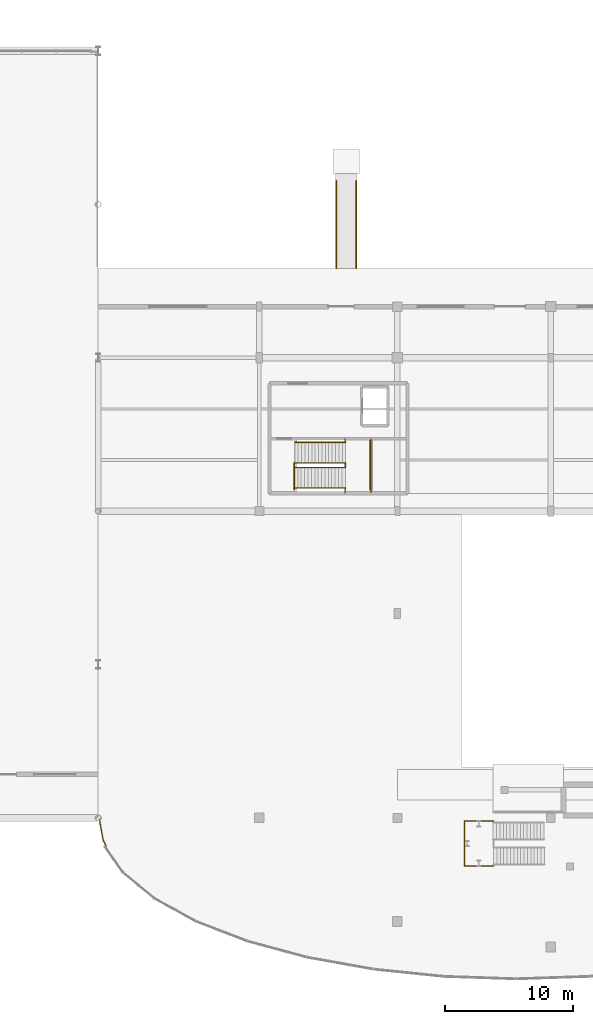
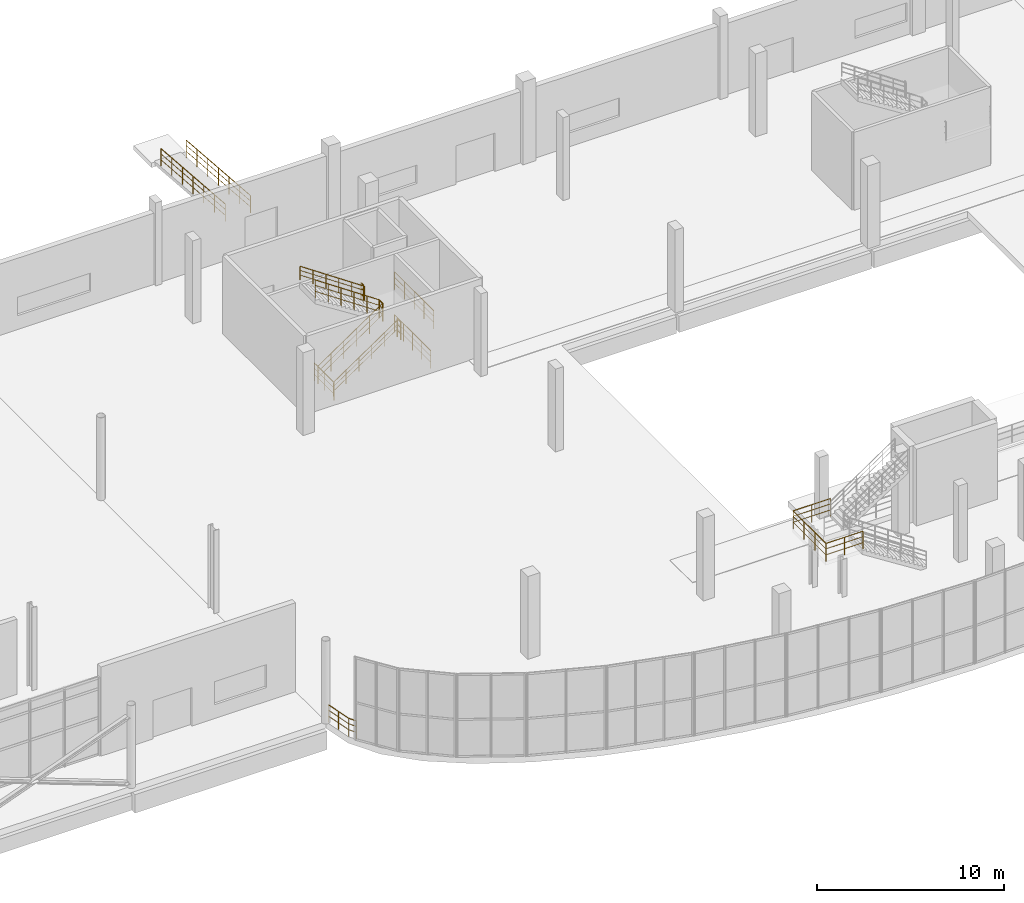
# One storey, part 73 of 85: 17 railings.
"""IFC4 building model written with IfcOpenShell, lengths in metres."""

from ifc_helpers import new_model, si_unit, direction, frame, origin, origin_2d, place, context, subcontext, project, spatial, circle, extrude, material, layer, layer_set, type_object, element, save


model = new_model("IFC4")

# Units and contexts
model_context = context("Model", 3, precision=1e-05, world=origin(), true_north=direction((0.0, 1.0)))
body_context = subcontext(model_context, "Body", "Model", "MODEL_VIEW")
ifc_project = project(units=[si_unit("LENGTHUNIT", "METRE"), si_unit("AREAUNIT", "SQUARE_METRE"), si_unit("VOLUMEUNIT", "CUBIC_METRE"), si_unit("PLANEANGLEUNIT", "RADIAN"), si_unit("MASSUNIT", "GRAM", prefix="KILO"), si_unit("THERMODYNAMICTEMPERATUREUNIT", "KELVIN"), si_unit("POWERUNIT", "WATT")], contexts=[model_context])

# Site, building, storey
site_placement = place(None, origin())
site = spatial("IfcSite", under=ifc_project, at=site_placement, CompositionType="ELEMENT")
building_placement = place(site_placement, origin())
building = spatial("IfcBuilding", under=site, at=building_placement, Name="Solmara Park Aquatics Centre", CompositionType="ELEMENT")
storey_placement = place(building_placement, origin())
storey = spatial("IfcBuildingStorey", under=building, at=storey_placement, Name="L00", CompositionType="ELEMENT", Elevation=0.0)

# Railings
ifc_material_1 = material(Name="Brushed Marine-Grade Stainless Steel 316L Handrail", Category="steel")
ifc_layer_1 = layer(ifc_material_1, 0.044921875, Name="Brushed Marine-Grade Stainless Steel 316L Handrail")
ifc_layer_set_1 = layer_set([ifc_layer_1], Name="Brushed Marine-Grade Stainless Steel 316L Handrail")
railing_type_1 = type_object("IfcRailingType", Name="ARC-RL-HND090", PredefinedType="HANDRAIL", material=ifc_layer_set_1)
railing_1_placement = place(storey_placement, frame((111.949951171875, 38.409912109375, 0.168701171875)))
element("IfcRailing", 1, at=railing_1_placement, inside=storey, type_object=railing_type_1, Name="ST-03 Protected Exit Stair (L00 to L01) Flight 1 Outer Handrail", PredefinedType="HANDRAIL", context=body_context, shape_type="SweptSolid", body=[
    extrude(circle(Radius=0.02392578125, at=origin_2d()), frame((0.0, 0.0, 0.89599609375), z_axis=(0.827204215732, 0.0, 0.561901401916), x_axis=(0.0, 1.0, 0.0)), (0.0, 0.0, 1.0), 4.805419921875),
    extrude(circle(Radius=0.01416015625, at=origin_2d()), frame((0.0, 0.0, 0.322021484375), z_axis=(0.827204215732, 0.0, 0.561901401916), x_axis=(0.0, 1.0, 0.0)), (0.0, 0.0, 1.0), 4.805419921875),
    extrude(circle(Radius=0.01416015625, at=origin_2d()), frame((0.0, 0.0, 0.62548828125), z_axis=(0.827204215732, 0.0, 0.561901401916), x_axis=(0.0, 1.0, 0.0)), (0.0, 0.0, 1.0), 4.805419921875),
    extrude(circle(Radius=0.02099609375, at=origin_2d()), origin(), (0.0, 0.0, 1.0), 0.871826171875),
    extrude(circle(Radius=0.02099609375, at=origin_2d()), frame((0.794921875, 0.0, 0.5400390625)), (0.0, 0.0, 1.0), 0.871826171875),
    extrude(circle(Radius=0.02099609375, at=origin_2d()), frame((1.590087890625, 0.0, 1.080078125)), (0.0, 0.0, 1.0), 0.871826171875),
    extrude(circle(Radius=0.02099609375, at=origin_2d()), frame((2.385009765625, 0.0, 1.6201171875)), (0.0, 0.0, 1.0), 0.871826171875),
    extrude(circle(Radius=0.02099609375, at=origin_2d()), frame((3.18017578125, 0.0, 2.16015625)), (0.0, 0.0, 1.0), 0.871826171875),
    extrude(circle(Radius=0.02099609375, at=origin_2d()), frame((3.97509765625, 0.0, 2.7001953125)), (0.0, 0.0, 1.0), 0.871826171875),
])
railing_2_placement = place(storey_placement, frame((115.955078125, 41.989990234375, 2.868896484375)))
element("IfcRailing", 2, at=railing_2_placement, inside=storey, type_object=railing_type_1, Name="ST-03 Protected Exit Stair (L00 to L01) Flight 2 Outer Handrail", PredefinedType="HANDRAIL", context=body_context, shape_type="SweptSolid", body=[
    extrude(circle(Radius=0.02392578125, at=origin_2d()), frame((0.0, 0.0, 0.89599609375), z_axis=(-0.827227830126, 0.0, 0.561866636369), x_axis=(0.0, -1.0, 0.0)), (0.0, 0.0, 1.0), 4.805419921875),
    extrude(circle(Radius=0.01416015625, at=origin_2d()), frame((0.0, 0.0, 0.322021484375), z_axis=(-0.827227830126, 0.0, 0.561866636369), x_axis=(0.0, -1.0, 0.0)), (0.0, 0.0, 1.0), 4.805419921875),
    extrude(circle(Radius=0.01416015625, at=origin_2d()), frame((0.0, 0.0, 0.62548828125), z_axis=(-0.827227830126, 0.0, 0.561866636369), x_axis=(0.0, -1.0, 0.0)), (0.0, 0.0, 1.0), 4.805419921875),
    extrude(circle(Radius=0.02099609375, at=origin_2d()), origin(), (0.0, 0.0, 1.0), 0.871826171875),
    extrude(circle(Radius=0.02099609375, at=origin_2d()), frame((-0.794921875, 0.0, 0.5400390625)), (0.0, 0.0, 1.0), 0.871826171875),
    extrude(circle(Radius=0.02099609375, at=origin_2d()), frame((-1.590087890625, 0.0, 1.080078125)), (0.0, 0.0, 1.0), 0.871826171875),
    extrude(circle(Radius=0.02099609375, at=origin_2d()), frame((-2.385009765625, 0.0, 1.619873046875)), (0.0, 0.0, 1.0), 0.871826171875),
    extrude(circle(Radius=0.02099609375, at=origin_2d()), frame((-3.18017578125, 0.0, 2.159912109375)), (0.0, 0.0, 1.0), 0.871826171875),
    extrude(circle(Radius=0.02099609375, at=origin_2d()), frame((-3.97509765625, 0.0, 2.699951171875)), (0.0, 0.0, 1.0), 0.871826171875),
])
ifc_material_2 = material(Name="Brushed Marine-Grade Stainless Steel 316L Ramp Handrail", Category="steel")
ifc_layer_2 = layer(ifc_material_2, 0.044921875, Name="Brushed Marine-Grade Stainless Steel 316L Ramp Handrail")
ifc_layer_set_2 = layer_set([ifc_layer_2], Name="Brushed Marine-Grade Stainless Steel 316L Ramp Handrail")
railing_type_2 = type_object("IfcRailingType", Name="ARC-RL-RMP090", PredefinedType="GUARDRAIL", material=ifc_layer_set_2)
for number, where, name in (
    (3, (115.219970703125, 62.449951171875, -0.548095703125), "Garden Court Diving Threshold Accessible Ramp Handrail 1"),
    (4, (116.780029296875, 62.449951171875, -0.548095703125), "Garden Court Diving Threshold Accessible Ramp Handrail 2"),
):
    element("IfcRailing", number, at=place(storey_placement, frame(where)), inside=storey, type_object=railing_type_2, Name=name, PredefinedType="GUARDRAIL", context=body_context, shape_type="SweptSolid", body=[
        extrude(circle(Radius=0.02392578125, at=origin_2d()), frame((0.0, 0.0, 1.1357421875), z_axis=(0.0, -0.996814035776, 0.07976075526), x_axis=(1.0, 0.0, 0.0)), (0.0, 0.0, 1.0), 6.871826171875),
        extrude(circle(Radius=0.01416015625, at=origin_2d()), frame((0.0, 0.0, 0.406005859375), z_axis=(0.0, -0.996814035776, 0.07976075526), x_axis=(1.0, 0.0, 0.0)), (0.0, 0.0, 1.0), 6.871826171875),
        extrude(circle(Radius=0.01416015625, at=origin_2d()), frame((0.0, 0.0, 0.788818359375), z_axis=(0.0, -0.996814035776, 0.07976075526), x_axis=(1.0, 0.0, 0.0)), (0.0, 0.0, 1.0), 6.871826171875),
        extrude(circle(Radius=0.02099609375, at=origin_2d()), origin(), (0.0, 0.0, 1.0), 1.11181640625),
        extrude(circle(Radius=0.02099609375, at=origin_2d()), frame((0.0, -1.1416015625, 0.09130859375)), (0.0, 0.0, 1.0), 1.11181640625),
        extrude(circle(Radius=0.02099609375, at=origin_2d()), frame((0.0, -2.283203125, 0.1826171875)), (0.0, 0.0, 1.0), 1.11181640625),
        extrude(circle(Radius=0.02099609375, at=origin_2d()), frame((0.0, -3.4248046875, 0.27392578125)), (0.0, 0.0, 1.0), 1.11181640625),
        extrude(circle(Radius=0.02099609375, at=origin_2d()), frame((0.0, -4.566650390625, 0.365478515625)), (0.0, 0.0, 1.0), 1.11181640625),
        extrude(circle(Radius=0.02099609375, at=origin_2d()), frame((0.0, -5.708251953125, 0.456787109375)), (0.0, 0.0, 1.0), 1.11181640625),
        extrude(circle(Radius=0.02099609375, at=origin_2d()), frame((0.0, -6.849853515625, 0.548095703125)), (0.0, 0.0, 1.0), 1.11181640625),
    ])
ifc_material_3 = material(Name="Toughened Glass and Stainless Steel Stand Guardrail", Category="steel")
ifc_layer_3 = layer(ifc_material_3, 0.06005859375, Name="Toughened Glass and Stainless Steel Stand Guardrail")
ifc_layer_set_3 = layer_set([ifc_layer_3], Name="Toughened Glass and Stainless Steel Stand Guardrail")
railing_type_3 = type_object("IfcRailingType", Name="ARC-RL-STD110", PredefinedType="GUARDRAIL", material=ifc_layer_set_3)
railing_3_placement = place(storey_placement, frame((97.21826171875, 10.42333984375, 0.0)))
element("IfcRailing", 5, at=railing_3_placement, inside=storey, type_object=railing_type_3, Name="L00 Slab Edge Guardrail 007", PredefinedType="GUARDRAIL", context=body_context, shape_type="SweptSolid", body=[
    extrude(circle(Radius=0.02392578125, at=origin_2d()), frame((0.0, 0.0, 1.15576171875), z_axis=(-0.491658683064, 0.870787999095, 0.0), x_axis=(-0.870787999095, -0.491658683064, 0.0)), (0.0, 0.0, 1.0), 0.46435546875),
    extrude(circle(Radius=0.01416015625, at=origin_2d()), frame((0.0, 0.0, 0.4130859375), z_axis=(-0.491658683064, 0.870787999095, 0.0), x_axis=(-0.870787999095, -0.491658683064, 0.0)), (0.0, 0.0, 1.0), 0.46435546875),
    extrude(circle(Radius=0.01416015625, at=origin_2d()), frame((0.0, 0.0, 0.80224609375), z_axis=(-0.491658683064, 0.870787999095, 0.0), x_axis=(-0.870787999095, -0.491658683064, 0.0)), (0.0, 0.0, 1.0), 0.46435546875),
    extrude(circle(Radius=0.02099609375, at=origin_2d()), origin(), (0.0, 0.0, 1.0), 1.1318359375),
    extrude(circle(Radius=0.02099609375, at=origin_2d()), frame((-0.228271484375, 0.404296875, 0.0)), (0.0, 0.0, 1.0), 1.1318359375),
])
railing_4_placement = place(storey_placement, frame((96.989990234375, 10.82763671875, 0.0)))
element("IfcRailing", 6, at=railing_4_placement, inside=storey, type_object=railing_type_3, Name="L00 Slab Edge Guardrail 008", PredefinedType="GUARDRAIL", context=body_context, shape_type="SweptSolid", body=[
    extrude(circle(Radius=0.02392578125, at=origin_2d()), frame((0.0, 0.0, 1.15576171875), z_axis=(-0.182576211103, 0.983191704165, 0.0), x_axis=(-0.983191704165, -0.182576211103, 0.0)), (0.0, 0.0, 1.0), 1.6875),
    extrude(circle(Radius=0.01416015625, at=origin_2d()), frame((0.0, 0.0, 0.4130859375), z_axis=(-0.182576211103, 0.983191704165, 0.0), x_axis=(-0.983191704165, -0.182576211103, 0.0)), (0.0, 0.0, 1.0), 1.6875),
    extrude(circle(Radius=0.01416015625, at=origin_2d()), frame((0.0, 0.0, 0.80224609375), z_axis=(-0.182576211103, 0.983191704165, 0.0), x_axis=(-0.983191704165, -0.182576211103, 0.0)), (0.0, 0.0, 1.0), 1.6875),
    extrude(circle(Radius=0.02099609375, at=origin_2d()), origin(), (0.0, 0.0, 1.0), 1.1318359375),
    extrude(circle(Radius=0.02099609375, at=origin_2d()), frame((-0.154052734375, 0.82958984375, 0.0)), (0.0, 0.0, 1.0), 1.1318359375),
    extrude(circle(Radius=0.02099609375, at=origin_2d()), frame((-0.30810546875, 1.6591796875, 0.0)), (0.0, 0.0, 1.0), 1.1318359375),
])
ifc_material_4 = material(Name="Brushed Stainless Steel Guardrail", Category="steel")
ifc_layer_4 = layer(ifc_material_4, 0.050048828125, Name="Brushed Stainless Steel Guardrail")
ifc_layer_set_4 = layer_set([ifc_layer_4], Name="Brushed Stainless Steel Guardrail")
railing_type_4 = type_object("IfcRailingType", Name="ARC-RL-STR110", PredefinedType="GUARDRAIL", material=ifc_layer_set_4)
railing_5_placement = place(storey_placement, frame((111.929931640625, 38.27001953125, 0.0)))
element("IfcRailing", 7, at=railing_5_placement, inside=storey, type_object=railing_type_4, Name="ST-03 Protected Exit Stair (B1 to L00) Arrival Well Guardrail", PredefinedType="GUARDRAIL", context=body_context, shape_type="SweptSolid", body=[
    extrude(circle(Radius=0.02392578125, at=origin_2d()), frame((0.0, 0.0, 1.15576171875), z_axis=(0.0, 1.0, 0.0), x_axis=(-1.0, 0.0, 0.0)), (0.0, 0.0, 1.0), 2.119873046875),
    extrude(circle(Radius=0.01416015625, at=origin_2d()), frame((0.0, 0.0, 0.4130859375), z_axis=(0.0, 1.0, 0.0), x_axis=(-1.0, 0.0, 0.0)), (0.0, 0.0, 1.0), 2.119873046875),
    extrude(circle(Radius=0.01416015625, at=origin_2d()), frame((0.0, 0.0, 0.80224609375), z_axis=(0.0, 1.0, 0.0), x_axis=(-1.0, 0.0, 0.0)), (0.0, 0.0, 1.0), 2.119873046875),
    extrude(circle(Radius=0.02099609375, at=origin_2d()), origin(), (0.0, 0.0, 1.0), 1.1318359375),
    extrude(circle(Radius=0.02099609375, at=origin_2d()), frame((0.0, 1.06005859375, 0.0)), (0.0, 0.0, 1.0), 1.1318359375),
    extrude(circle(Radius=0.02099609375, at=origin_2d()), frame((0.0, 2.119873046875, 0.0)), (0.0, 0.0, 1.0), 1.1318359375),
])
railing_6_placement = place(storey_placement, frame((117.8798828125, 38.27001953125, 0.0)))
element("IfcRailing", 8, at=railing_6_placement, inside=storey, type_object=railing_type_4, Name="ST-03 Protected Exit Stair (B1 to L00) Far Well Edge Guardrail", PredefinedType="GUARDRAIL", context=body_context, shape_type="SweptSolid", body=[
    extrude(circle(Radius=0.02392578125, at=origin_2d()), frame((0.0, 0.0, 1.15576171875), z_axis=(0.0, 1.0, 0.0), x_axis=(-1.0, 0.0, 0.0)), (0.0, 0.0, 1.0), 3.85986328125),
    extrude(circle(Radius=0.01416015625, at=origin_2d()), frame((0.0, 0.0, 0.4130859375), z_axis=(0.0, 1.0, 0.0), x_axis=(-1.0, 0.0, 0.0)), (0.0, 0.0, 1.0), 3.85986328125),
    extrude(circle(Radius=0.01416015625, at=origin_2d()), frame((0.0, 0.0, 0.80224609375), z_axis=(0.0, 1.0, 0.0), x_axis=(-1.0, 0.0, 0.0)), (0.0, 0.0, 1.0), 3.85986328125),
    extrude(circle(Radius=0.02099609375, at=origin_2d()), origin(), (0.0, 0.0, 1.0), 1.1318359375),
    extrude(circle(Radius=0.02099609375, at=origin_2d()), frame((0.0, 0.96484375, 0.0)), (0.0, 0.0, 1.0), 1.1318359375),
    extrude(circle(Radius=0.02099609375, at=origin_2d()), frame((0.0, 1.929931640625, 0.0)), (0.0, 0.0, 1.0), 1.1318359375),
    extrude(circle(Radius=0.02099609375, at=origin_2d()), frame((0.0, 2.89501953125, 0.0)), (0.0, 0.0, 1.0), 1.1318359375),
    extrude(circle(Radius=0.02099609375, at=origin_2d()), frame((0.0, 3.85986328125, 0.0)), (0.0, 0.0, 1.0), 1.1318359375),
])
railing_7_placement = place(storey_placement, frame((111.949951171875, 40.030029296875, 0.0)))
element("IfcRailing", 9, at=railing_7_placement, inside=storey, type_object=railing_type_4, Name="ST-03 Protected Exit Stair (L00 to L01) Flight 1 Inner Guardrail", PredefinedType="GUARDRAIL", context=body_context, shape_type="SweptSolid", body=[
    extrude(circle(Radius=0.02392578125, at=origin_2d()), frame((0.0, 0.0, 1.15576171875), z_axis=(0.827227830126, 0.0, 0.561866636369), x_axis=(0.0, 1.0, 0.0)), (0.0, 0.0, 1.0), 4.805419921875),
    extrude(circle(Radius=0.01416015625, at=origin_2d()), frame((0.0, 0.0, 0.4130859375), z_axis=(0.827227830126, 0.0, 0.561866636369), x_axis=(0.0, 1.0, 0.0)), (0.0, 0.0, 1.0), 4.805419921875),
    extrude(circle(Radius=0.01416015625, at=origin_2d()), frame((0.0, 0.0, 0.80224609375), z_axis=(0.827227830126, 0.0, 0.561866636369), x_axis=(0.0, 1.0, 0.0)), (0.0, 0.0, 1.0), 4.805419921875),
    extrude(circle(Radius=0.02099609375, at=origin_2d()), origin(), (0.0, 0.0, 1.0), 1.1318359375),
    extrude(circle(Radius=0.02099609375, at=origin_2d()), frame((0.794921875, 0.0, 0.5400390625)), (0.0, 0.0, 1.0), 1.1318359375),
    extrude(circle(Radius=0.02099609375, at=origin_2d()), frame((1.590087890625, 0.0, 1.080078125)), (0.0, 0.0, 1.0), 1.1318359375),
    extrude(circle(Radius=0.02099609375, at=origin_2d()), frame((2.385009765625, 0.0, 1.619873046875)), (0.0, 0.0, 1.0), 1.1318359375),
    extrude(circle(Radius=0.02099609375, at=origin_2d()), frame((3.18017578125, 0.0, 2.159912109375)), (0.0, 0.0, 1.0), 1.1318359375),
    extrude(circle(Radius=0.02099609375, at=origin_2d()), frame((3.97509765625, 0.0, 2.699951171875)), (0.0, 0.0, 1.0), 1.1318359375),
])
railing_8_placement = place(storey_placement, frame((115.955078125, 40.3701171875, 2.699951171875)))
element("IfcRailing", 10, at=railing_8_placement, inside=storey, type_object=railing_type_4, Name="ST-03 Protected Exit Stair (L00 to L01) Flight 2 Inner Guardrail", PredefinedType="GUARDRAIL", context=body_context, shape_type="SweptSolid", body=[
    extrude(circle(Radius=0.02392578125, at=origin_2d()), frame((0.0, 0.0, 1.15576171875), z_axis=(-0.827227830126, 0.0, 0.561866636369), x_axis=(0.0, -1.0, 0.0)), (0.0, 0.0, 1.0), 4.805419921875),
    extrude(circle(Radius=0.01416015625, at=origin_2d()), frame((0.0, 0.0, 0.4130859375), z_axis=(-0.827227830126, 0.0, 0.561866636369), x_axis=(0.0, -1.0, 0.0)), (0.0, 0.0, 1.0), 4.805419921875),
    extrude(circle(Radius=0.01416015625, at=origin_2d()), frame((0.0, 0.0, 0.80224609375), z_axis=(-0.827227830126, 0.0, 0.561866636369), x_axis=(0.0, -1.0, 0.0)), (0.0, 0.0, 1.0), 4.805419921875),
    extrude(circle(Radius=0.02099609375, at=origin_2d()), origin(), (0.0, 0.0, 1.0), 1.1318359375),
    extrude(circle(Radius=0.02099609375, at=origin_2d()), frame((-0.794921875, 0.0, 0.5400390625)), (0.0, 0.0, 1.0), 1.1318359375),
    extrude(circle(Radius=0.02099609375, at=origin_2d()), frame((-1.590087890625, 0.0, 1.080078125)), (0.0, 0.0, 1.0), 1.1318359375),
    extrude(circle(Radius=0.02099609375, at=origin_2d()), frame((-2.385009765625, 0.0, 1.619873046875)), (0.0, 0.0, 1.0), 1.1318359375),
    extrude(circle(Radius=0.02099609375, at=origin_2d()), frame((-3.18017578125, 0.0, 2.159912109375)), (0.0, 0.0, 1.0), 1.1318359375),
    extrude(circle(Radius=0.02099609375, at=origin_2d()), frame((-3.97509765625, 0.0, 2.699951171875)), (0.0, 0.0, 1.0), 1.1318359375),
])
railing_9_placement = place(storey_placement, frame((115.925048828125, 40.010009765625, 2.699951171875)))
element("IfcRailing", 11, at=railing_9_placement, inside=storey, type_object=railing_type_4, Name="ST-03 Protected Exit Stair (L00 to L01) Half-Landing Well Guardrail", PredefinedType="GUARDRAIL", context=body_context, shape_type="SweptSolid", body=[
    extrude(circle(Radius=0.02392578125, at=origin_2d()), frame((0.0, 0.0, 1.15576171875), z_axis=(0.0, 1.0, 0.0), x_axis=(-1.0, 0.0, 0.0)), (0.0, 0.0, 1.0), 0.3798828125),
    extrude(circle(Radius=0.01416015625, at=origin_2d()), frame((0.0, 0.0, 0.4130859375), z_axis=(0.0, 1.0, 0.0), x_axis=(-1.0, 0.0, 0.0)), (0.0, 0.0, 1.0), 0.3798828125),
    extrude(circle(Radius=0.01416015625, at=origin_2d()), frame((0.0, 0.0, 0.80224609375), z_axis=(0.0, 1.0, 0.0), x_axis=(-1.0, 0.0, 0.0)), (0.0, 0.0, 1.0), 0.3798828125),
    extrude(circle(Radius=0.02099609375, at=origin_2d()), origin(), (0.0, 0.0, 1.0), 1.1318359375),
    extrude(circle(Radius=0.02099609375, at=origin_2d()), frame((0.0, 0.3798828125, 0.0)), (0.0, 0.0, 1.0), 1.1318359375),
])
railing_10_placement = place(storey_placement, frame((115.89501953125, 38.0400390625, 2.699951171875)))
element("IfcRailing", 12, at=railing_10_placement, inside=storey, type_object=railing_type_4, Name="ST-03 Protected Exit Stair (L00 to L01) Half-Landing South Slot Guardrail", PredefinedType="GUARDRAIL", context=body_context, shape_type="SweptSolid", body=[
    extrude(circle(Radius=0.02392578125, at=origin_2d()), frame((0.0, 0.0, 1.15576171875), z_axis=(0.0, 1.0, 0.0), x_axis=(-1.0, 0.0, 0.0)), (0.0, 0.0, 1.0), 0.35986328125),
    extrude(circle(Radius=0.01416015625, at=origin_2d()), frame((0.0, 0.0, 0.4130859375), z_axis=(0.0, 1.0, 0.0), x_axis=(-1.0, 0.0, 0.0)), (0.0, 0.0, 1.0), 0.35986328125),
    extrude(circle(Radius=0.01416015625, at=origin_2d()), frame((0.0, 0.0, 0.80224609375), z_axis=(0.0, 1.0, 0.0), x_axis=(-1.0, 0.0, 0.0)), (0.0, 0.0, 1.0), 0.35986328125),
    extrude(circle(Radius=0.02099609375, at=origin_2d()), origin(), (0.0, 0.0, 1.0), 1.1318359375),
    extrude(circle(Radius=0.02099609375, at=origin_2d()), frame((0.0, 0.35986328125, 0.0)), (0.0, 0.0, 1.0), 1.1318359375),
])
railing_11_placement = place(storey_placement, frame((115.89501953125, 42.0, 2.699951171875)))
element("IfcRailing", 13, at=railing_11_placement, inside=storey, type_object=railing_type_4, Name="ST-03 Protected Exit Stair (L00 to L01) Half-Landing North Slot Guardrail", PredefinedType="GUARDRAIL", context=body_context, shape_type="SweptSolid", body=[
    extrude(circle(Radius=0.02392578125, at=origin_2d()), frame((0.0, 0.0, 1.15576171875), z_axis=(0.0, 1.0, 0.0), x_axis=(-1.0, 0.0, 0.0)), (0.0, 0.0, 1.0), 0.260009765625),
    extrude(circle(Radius=0.01416015625, at=origin_2d()), frame((0.0, 0.0, 0.4130859375), z_axis=(0.0, 1.0, 0.0), x_axis=(-1.0, 0.0, 0.0)), (0.0, 0.0, 1.0), 0.260009765625),
    extrude(circle(Radius=0.01416015625, at=origin_2d()), frame((0.0, 0.0, 0.80224609375), z_axis=(0.0, 1.0, 0.0), x_axis=(-1.0, 0.0, 0.0)), (0.0, 0.0, 1.0), 0.260009765625),
    extrude(circle(Radius=0.02099609375, at=origin_2d()), origin(), (0.0, 0.0, 1.0), 1.1318359375),
    extrude(circle(Radius=0.02099609375, at=origin_2d()), frame((0.0, 0.260009765625, 0.0)), (0.0, 0.0, 1.0), 1.1318359375),
])
railing_12_placement = place(storey_placement, frame((117.949951171875, 38.06005859375, 2.699951171875)))
element("IfcRailing", 14, at=railing_12_placement, inside=storey, type_object=railing_type_4, Name="ST-03 Protected Exit Stair (L00 to L01) Half-Landing Outer Guardrail", PredefinedType="GUARDRAIL", context=body_context, shape_type="SweptSolid", body=[
    extrude(circle(Radius=0.02392578125, at=origin_2d()), frame((0.0, 0.0, 1.15576171875), z_axis=(0.0, 1.0, 0.0), x_axis=(-1.0, 0.0, 0.0)), (0.0, 0.0, 1.0), 4.179931640625),
    extrude(circle(Radius=0.01416015625, at=origin_2d()), frame((0.0, 0.0, 0.4130859375), z_axis=(0.0, 1.0, 0.0), x_axis=(-1.0, 0.0, 0.0)), (0.0, 0.0, 1.0), 4.179931640625),
    extrude(circle(Radius=0.01416015625, at=origin_2d()), frame((0.0, 0.0, 0.80224609375), z_axis=(0.0, 1.0, 0.0), x_axis=(-1.0, 0.0, 0.0)), (0.0, 0.0, 1.0), 4.179931640625),
    extrude(circle(Radius=0.02099609375, at=origin_2d()), origin(), (0.0, 0.0, 1.0), 1.1318359375),
    extrude(circle(Radius=0.02099609375, at=origin_2d()), frame((0.0, 1.044921875, 0.0)), (0.0, 0.0, 1.0), 1.1318359375),
    extrude(circle(Radius=0.02099609375, at=origin_2d()), frame((0.0, 2.08984375, 0.0)), (0.0, 0.0, 1.0), 1.1318359375),
    extrude(circle(Radius=0.02099609375, at=origin_2d()), frame((0.0, 3.135009765625, 0.0)), (0.0, 0.0, 1.0), 1.1318359375),
    extrude(circle(Radius=0.02099609375, at=origin_2d()), frame((0.0, 4.179931640625, 0.0)), (0.0, 0.0, 1.0), 1.1318359375),
])
railing_13_placement = place(storey_placement, frame((125.25, 8.85009765625, 2.699951171875)))
element("IfcRailing", 15, at=railing_13_placement, inside=storey, type_object=railing_type_4, Name="Diving Tower Platform Stair DT-01 Half-Landing Outer Guardrail", PredefinedType="GUARDRAIL", context=body_context, shape_type="SweptSolid", body=[
    extrude(circle(Radius=0.02392578125, at=origin_2d()), frame((0.0, 0.0, 1.15576171875), z_axis=(0.0, 1.0, 0.0), x_axis=(-1.0, 0.0, 0.0)), (0.0, 0.0, 1.0), 3.5),
    extrude(circle(Radius=0.01416015625, at=origin_2d()), frame((0.0, 0.0, 0.4130859375), z_axis=(0.0, 1.0, 0.0), x_axis=(-1.0, 0.0, 0.0)), (0.0, 0.0, 1.0), 3.5),
    extrude(circle(Radius=0.01416015625, at=origin_2d()), frame((0.0, 0.0, 0.80224609375), z_axis=(0.0, 1.0, 0.0), x_axis=(-1.0, 0.0, 0.0)), (0.0, 0.0, 1.0), 3.5),
    extrude(circle(Radius=0.02099609375, at=origin_2d()), origin(), (0.0, 0.0, 1.0), 1.1318359375),
    extrude(circle(Radius=0.02099609375, at=origin_2d()), frame((0.0, 1.166748046875, 0.0)), (0.0, 0.0, 1.0), 1.1318359375),
    extrude(circle(Radius=0.02099609375, at=origin_2d()), frame((0.0, 2.333251953125, 0.0)), (0.0, 0.0, 1.0), 1.1318359375),
    extrude(circle(Radius=0.02099609375, at=origin_2d()), frame((0.0, 3.5, 0.0)), (0.0, 0.0, 1.0), 1.1318359375),
])
for number, where, name in (
    (16, (125.25, 8.85009765625, 2.699951171875), "Diving Tower Platform Stair DT-01 Half-Landing Guardrail S"),
    (17, (125.25, 12.35009765625, 2.699951171875), "Diving Tower Platform Stair DT-01 Half-Landing Guardrail N"),
):
    element("IfcRailing", number, at=place(storey_placement, frame(where)), inside=storey, type_object=railing_type_4, Name=name, PredefinedType="GUARDRAIL", context=body_context, shape_type="SweptSolid", body=[
        extrude(circle(Radius=0.02392578125, at=origin_2d()), frame((0.0, 0.0, 1.15576171875), z_axis=(1.0, 0.0, 0.0), x_axis=(0.0, 1.0, 0.0)), (0.0, 0.0, 1.0), 2.284912109375),
        extrude(circle(Radius=0.01416015625, at=origin_2d()), frame((0.0, 0.0, 0.4130859375), z_axis=(1.0, 0.0, 0.0), x_axis=(0.0, 1.0, 0.0)), (0.0, 0.0, 1.0), 2.284912109375),
        extrude(circle(Radius=0.01416015625, at=origin_2d()), frame((0.0, 0.0, 0.80224609375), z_axis=(1.0, 0.0, 0.0), x_axis=(0.0, 1.0, 0.0)), (0.0, 0.0, 1.0), 2.284912109375),
        extrude(circle(Radius=0.02099609375, at=origin_2d()), origin(), (0.0, 0.0, 1.0), 1.1318359375),
        extrude(circle(Radius=0.02099609375, at=origin_2d()), frame((1.142578125, 0.0, 0.0)), (0.0, 0.0, 1.0), 1.1318359375),
        extrude(circle(Radius=0.02099609375, at=origin_2d()), frame((2.284912109375, 0.0, 0.0)), (0.0, 0.0, 1.0), 1.1318359375),
    ])

save(model, "model.ifc")
